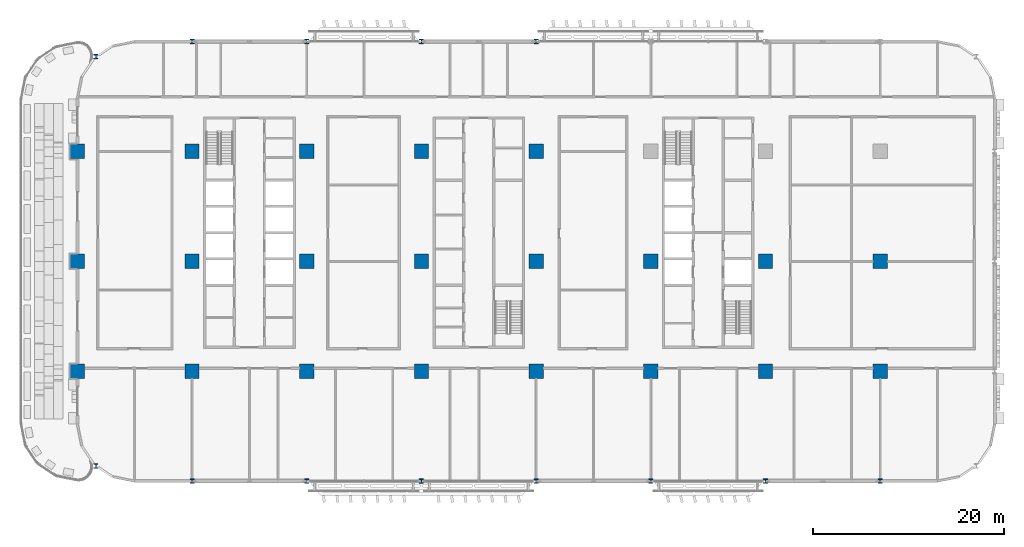
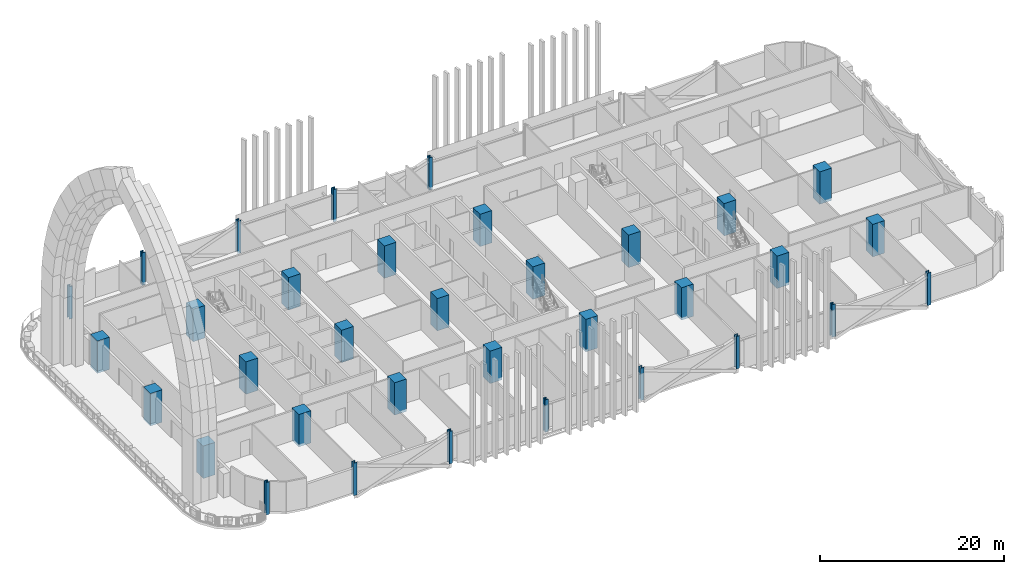
# One storey, part 1 of 29: 34 columns.
"""IFC4 building model written with IfcOpenShell, lengths in metres."""

from ifc_helpers import new_model, si_unit, direction, frame, origin, origin_2d, place, context, subcontext, project, spatial, rectangle, i_section, extrude, material, material_profile, profile_set, type_object, element, save


model = new_model("IFC4")

# Units and contexts
model_context = context("Model", 3, precision=1e-05, world=origin(), true_north=direction((0.0, 1.0)))
body_context = subcontext(model_context, "Body", "Model", "MODEL_VIEW")
ifc_project = project(units=[si_unit("LENGTHUNIT", "METRE"), si_unit("AREAUNIT", "SQUARE_METRE"), si_unit("VOLUMEUNIT", "CUBIC_METRE"), si_unit("PLANEANGLEUNIT", "RADIAN"), si_unit("MASSUNIT", "GRAM", prefix="KILO")], contexts=[model_context])

# Site, building, storey
site_placement = place(None, origin())
site = spatial("IfcSite", under=ifc_project, at=site_placement, CompositionType="ELEMENT")
building_placement = place(site_placement, origin())
building = spatial("IfcBuilding", under=site, at=building_placement, Name="Mahtab Terrace Research Tower", CompositionType="ELEMENT")
storey_placement = place(building_placement, frame((0.0, 0.0, 46.0)))
storey = spatial("IfcBuildingStorey", under=building, at=storey_placement, Name="L10", CompositionType="ELEMENT", Elevation=46.0)

# Columns
ifc_material_1 = material(Name="Concrete C70/85", Category="concrete")
ifc_material_profile_1 = material_profile(ifc_material_1, rectangle(XDim=1.5, YDim=1.5, at=origin_2d()), Name="RC column 1500x1500")
ifc_profile_set_1 = profile_set([ifc_material_profile_1], Name="Concrete C70/85")
column_type_1 = type_object("IfcColumnType", Name="RC column 1500x1500", PredefinedType="COLUMN", material=ifc_profile_set_1)
for number, where, z_axis, x_axis, name in (
    (1, (-42.0, -11.5, -0.340087890625), (0.0, 0.0, 1.0), (1.0, 0.0, 0.0), "Column RC-1A L10"),
    (2, (-42.0, 0.0, -0.340087890625), (0.0, 0.0, 1.0), (1.0, 0.0, 0.0), "Column RC-1B L10"),
    (3, (-42.0, 11.5, -0.340087890625), (0.0, 0.0, 1.0), (1.0, 0.0, 0.0), "Column RC-1C L10"),
    (4, (-30.0, -11.5, -0.340087890625), (0.0, 0.0, 1.0), (1.0, 0.0, 0.0), "Column RC-2A L10"),
    (5, (-30.0, 0.0, -0.340087890625), (0.0, 0.0, 1.0), (1.0, 0.0, 0.0), "Column RC-2B L10"),
    (6, (-30.0, 11.5, -0.340087890625), (0.0, 0.0, 1.0), (1.0, 0.0, 0.0), "Column RC-2C L10"),
    (7, (-18.0, -11.5, -0.340087890625), (0.0, 0.0, 1.0), (1.0, 0.0, 0.0), "Column RC-3A L10"),
    (8, (-18.0, 0.0, -0.340087890625), (0.0, 0.0, 1.0), (1.0, 0.0, 0.0), "Column RC-3B L10"),
    (9, (-18.0, 11.5, -0.340087890625), (0.0, 0.0, 1.0), (1.0, 0.0, 0.0), "Column RC-3C L10"),
    (10, (-6.0, -11.5, -0.340087890625), (0.0, 0.0, 1.0), (1.0, 0.0, 0.0), "Column RC-4A L10"),
    (11, (-6.0, 0.0, -0.340087890625), (0.0, 0.0, 1.0), (1.0, 0.0, 0.0), "Column RC-4B L10"),
    (12, (-6.0, 11.5, -0.340087890625), (0.0, 0.0, 1.0), (1.0, 0.0, 0.0), "Column RC-4C L10"),
    (13, (6.0, -11.5, -0.340087890625), (0.0, 0.0, 1.0), (1.0, 0.0, 0.0), "Column RC-5A L10"),
    (14, (6.0, 0.0, -0.340087890625), (0.0, 0.0, 1.0), (1.0, 0.0, 0.0), "Column RC-5B L10"),
    (15, (6.0, 11.5, -0.340087890625), (0.0, 0.0, 1.0), (1.0, 0.0, 0.0), "Column RC-5C L10"),
    (16, (18.0, -11.5, -0.340087890625), (0.0, 0.0, 1.0), (1.0, 0.0, 0.0), "Column RC-6A L10"),
    (17, (18.0, 0.0, -0.340087890625), (0.0, 0.0, 1.0), (1.0, 0.0, 0.0), "Column RC-6B L10"),
    (18, (30.0, -11.5, -0.340087890625), (0.0, 0.0, 1.0), (1.0, 0.0, 0.0), "Column RC-7A L10"),
    (19, (30.0, 0.0, -0.340087890625), (0.0, 0.0, 1.0), (1.0, 0.0, 0.0), "Column RC-7B L10"),
    (20, (42.0, -11.5, -0.340087890625), (0.0, 0.0, 1.0), (1.0, 0.0, 0.0), "Column RC-8A L10"),
    (21, (42.0, 0.0, -0.340087890625), (0.0, 0.0, 1.0), (1.0, 0.0, 0.0), "Column RC-8B L10"),
):
    element("IfcColumn", number, at=place(storey_placement, frame(where, z_axis=z_axis, x_axis=x_axis)), inside=storey, type_object=column_type_1, Name=name, PredefinedType="COLUMN", context=body_context, shape_type="SweptSolid", body=[
        extrude(rectangle(XDim=1.5, YDim=1.5, at=origin_2d()), origin(), (0.0, 0.0, 1.0), 4.300048828125),
    ])
ifc_material_2 = material(Name="Steel ASTM A992 Gr 50", Category="steel")
ifc_material_profile_2 = material_profile(ifc_material_2, i_section(OverallWidth=0.42431640625, OverallDepth=0.47509765625, WebThickness=0.0478515625, FlangeThickness=0.0771484375, at=origin_2d()), Name="W14X426")
ifc_profile_set_2 = profile_set([ifc_material_profile_2], Name="Steel ASTM A992 Gr 50")
column_type_2 = type_object("IfcColumnType", Name="W14x426 column CS14426", PredefinedType="COLUMN", material=ifc_profile_set_2)
for number, where, z_axis, x_axis, name in (
    (22, (6.0, 23.0, -0.340087890625), (0.0, 0.0, 1.0), (1.0, 0.0, 0.0), "Column SC-004 L10"),
    (23, (-6.0, 23.0, -0.340087890625), (0.0, 0.0, 1.0), (1.0, 0.0, 0.0), "Column SC-005 L10"),
    (24, (-18.0, 23.0, -0.340087890625), (0.0, 0.0, 1.0), (1.0, 0.0, 0.0), "Column SC-006 L10"),
    (25, (-30.0, 23.0, -0.340087890625), (0.0, 0.0, 1.0), (1.0, 0.0, 0.0), "Column SC-007 L10"),
    (26, (-40.06201171875, 21.416015625, -0.340087890625), (0.0, 0.0, 1.0), (1.0, 0.0, 0.0), "Column SC-024 L10"),
    (27, (-40.06201171875, -21.416015625, -0.340087890625), (0.0, 0.0, 1.0), (1.0, 0.0, 0.0), "Column SC-025 L10"),
    (28, (-30.0, -23.0, -0.340087890625), (0.0, 0.0, 1.0), (1.0, 0.0, 0.0), "Column SC-013 L10"),
    (29, (-18.0, -23.0, -0.340087890625), (0.0, 0.0, 1.0), (1.0, 0.0, 0.0), "Column SC-014 L10"),
    (30, (-6.0, -23.0, -0.340087890625), (0.0, 0.0, 1.0), (1.0, 0.0, 0.0), "Column SC-015 L10"),
    (31, (6.0, -23.0, -0.340087890625), (0.0, 0.0, 1.0), (1.0, 0.0, 0.0), "Column SC-016 L10"),
    (32, (18.0, -23.0, -0.340087890625), (0.0, 0.0, 1.0), (1.0, 0.0, 0.0), "Column SC-017 L10"),
    (33, (30.0, -23.0, -0.340087890625), (0.0, 0.0, 1.0), (1.0, 0.0, 0.0), "Column SC-018 L10"),
    (34, (42.0, -23.0, -0.340087890625), (0.0, 0.0, 1.0), (1.0, 0.0, 0.0), "Column SC-019 L10"),
):
    element("IfcColumn", number, at=place(storey_placement, frame(where, z_axis=z_axis, x_axis=x_axis)), inside=storey, type_object=column_type_2, Name=name, PredefinedType="COLUMN", context=body_context, shape_type="SweptSolid", body=[
        extrude(i_section(OverallWidth=0.42431640625, OverallDepth=0.47509765625, WebThickness=0.0478515625, FlangeThickness=0.0771484375, at=origin_2d()), origin(), (0.0, 0.0, 1.0), 4.300048828125),
    ])

save(model, "model.ifc")
